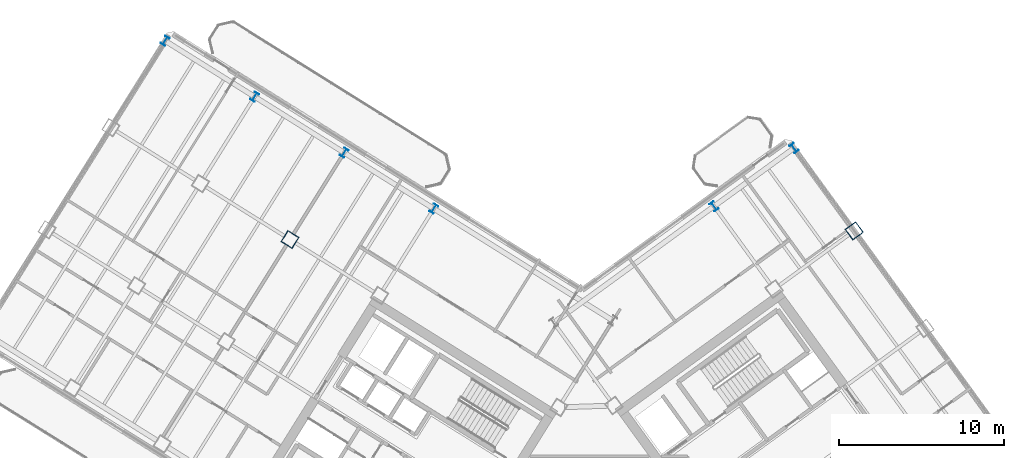
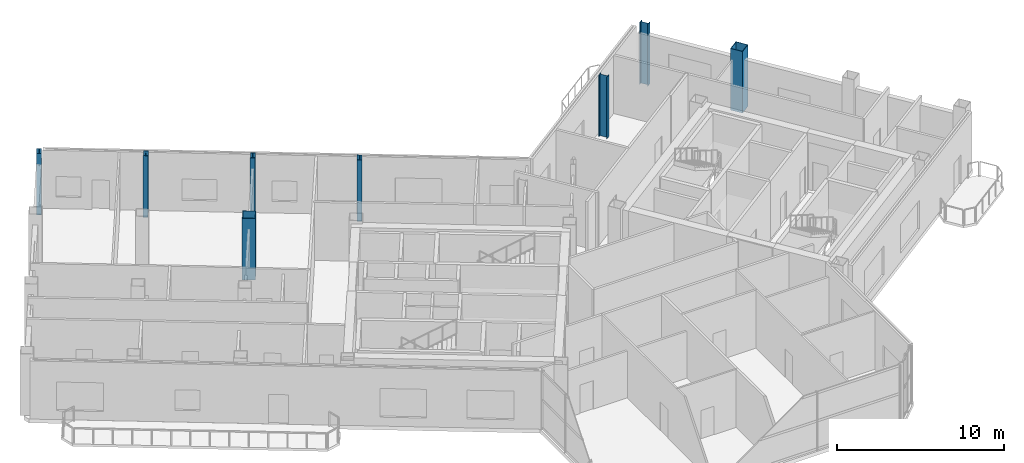
# One storey, part 3 of 21: 8 columns.
"""IFC4 building model written with IfcOpenShell, lengths in metres."""

from ifc_helpers import new_model, si_unit, direction, frame, origin, origin_2d, place, context, subcontext, project, spatial, hollow_rectangle, i_section, extrude, source, transform, mapped, material, material_profile, profile_set, type_object, element, save


model = new_model("IFC4")

# Units and contexts
model_context = context("Model", 3, precision=1e-05, world=origin(), true_north=direction((0.0, 1.0)))
body_context = subcontext(model_context, "Body", "Model", "MODEL_VIEW")
ifc_project = project(units=[si_unit("LENGTHUNIT", "METRE"), si_unit("AREAUNIT", "SQUARE_METRE"), si_unit("VOLUMEUNIT", "CUBIC_METRE"), si_unit("PLANEANGLEUNIT", "RADIAN"), si_unit("MASSUNIT", "GRAM", prefix="KILO")], contexts=[model_context])

# Site, building, storey
site_placement = place(None, origin())
site = spatial("IfcSite", under=ifc_project, at=site_placement, CompositionType="ELEMENT")
building_placement = place(site_placement, origin())
building = spatial("IfcBuilding", under=site, at=building_placement, Name="Tlacorven Tower", CompositionType="ELEMENT")
storey_placement = place(building_placement, frame((0.0, 0.0, 199.5)))
storey = spatial("IfcBuildingStorey", under=building, at=storey_placement, Name="L50", CompositionType="ELEMENT", Elevation=199.5)

# Columns
ifc_material = material(Name="Steel S460M", Category="steel")
ifc_material_profile_1 = material_profile(ifc_material, i_section(OverallWidth=0.300048828125, OverallDepth=0.550048828125, WebThickness=0.014892578125, FlangeThickness=0.029052734375, at=origin_2d()), Name="HEB 550")
ifc_profile_set_1 = profile_set([ifc_material_profile_1], Name="Steel S460M")
column_type_1 = type_object("IfcColumnType", Name="COL-TWR-P2", PredefinedType="COLUMN", material=ifc_profile_set_1)
shared_shape_1 = source(origin(), body_context, "Body", "SweptSolid", [
    extrude(i_section(OverallWidth=0.300048828125, OverallDepth=0.550048828125, WebThickness=0.014892578125, FlangeThickness=0.029052734375, at=origin_2d()), origin(), (0.0, 0.0, 1.0), 4.5),
])
for number, where, z_axis, x_axis, name in (
    (1, (33.21337890625, 36.50927734375, 0.0), (0.0, 0.0, 1.0), (-0.848048096156, 0.529919264233, 0.0), "L50 column COL-L50-W3-1"),
    (2, (27.785888671875, 39.900634765625, 0.0), (0.0, 0.0, 1.0), (-0.848048096156, 0.529919264233, 0.0), "L50 column COL-L50-W4-1"),
    (3, (22.3583984375, 43.292236328125, 0.0), (0.0, 0.0, 1.0), (-0.848048096156, 0.529919264233, 0.0), "L50 column COL-L50-W5-1"),
    (4, (16.930908203125, 46.68359375, 0.0), (0.0, 0.0, 1.0), (-0.848048096156, 0.529919264233, 0.0), "L50 column COL-L50-W6-1"),
    (5, (50.187744140625, 36.654296875, 0.0), (0.0, 0.0, 1.0), (0.809016994375, 0.587785252292, 0.0), "L50 column COL-L50-E3-4"),
    (6, (55.041748046875, 40.18115234375, 0.0), (0.0, 0.0, 1.0), (0.809016994375, 0.587785252292, 0.0), "L50 column COL-L50-E4-4"),
):
    element("IfcColumn", number, at=place(storey_placement, frame(where, z_axis=z_axis, x_axis=x_axis)), inside=storey, type_object=column_type_1, Name=name, PredefinedType="COLUMN", context=body_context, shape_type="MappedRepresentation", body=[
        mapped(shared_shape_1, transform((0.0, 0.0, 0.0), scale=1.0)),
    ])
ifc_material_profile_2 = material_profile(ifc_material, hollow_rectangle(XDim=0.800048828125, YDim=0.800048828125, WallThickness=0.031982421875, at=origin_2d()), Name="BOX 800X800X32")
ifc_profile_set_2 = profile_set([ifc_material_profile_2], Name="Steel S460M")
column_type_2 = type_object("IfcColumnType", Name="COL-TWR-S3", PredefinedType="COLUMN", material=ifc_profile_set_2)
shared_shape_2 = source(origin(), body_context, "Body", "SweptSolid", [
    extrude(hollow_rectangle(XDim=0.800048828125, YDim=0.800048828125, WallThickness=0.031982421875, at=origin_2d()), origin(), (0.0, 0.0, 1.0), 4.5),
])
for number, where, z_axis, x_axis, name in (
    (7, (24.50048828125, 34.642822265625, 0.0), (0.0, 0.0, 1.0), (-0.848048096156, 0.529919264233, 0.0), "L50 column COL-L50-W4-2"),
    (8, (58.68603515625, 35.165283203125, 0.0), (0.0, 0.0, 1.0), (0.809016994375, 0.587785252292, 0.0), "L50 column COL-L50-E4-3"),
):
    element("IfcColumn", number, at=place(storey_placement, frame(where, z_axis=z_axis, x_axis=x_axis)), inside=storey, type_object=column_type_2, Name=name, PredefinedType="COLUMN", context=body_context, shape_type="MappedRepresentation", body=[
        mapped(shared_shape_2, transform((0.0, 0.0, 0.0), scale=1.0)),
    ])

save(model, "model.ifc")
